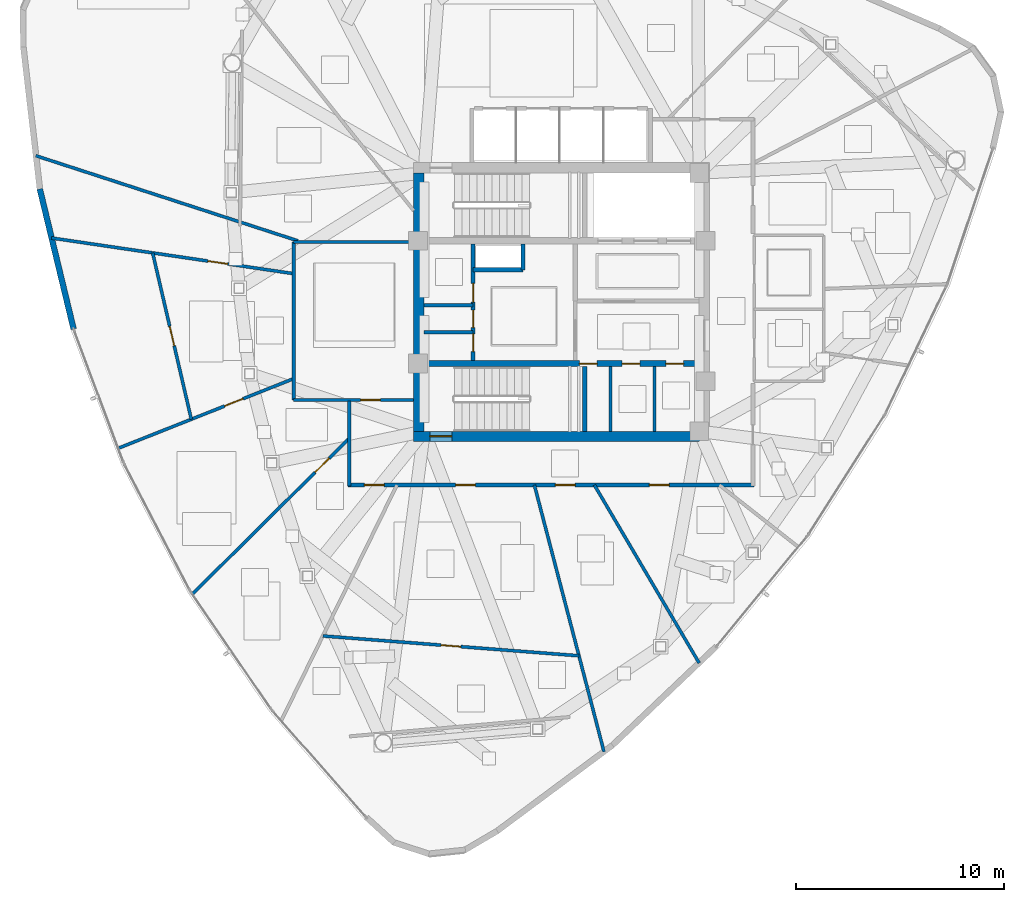
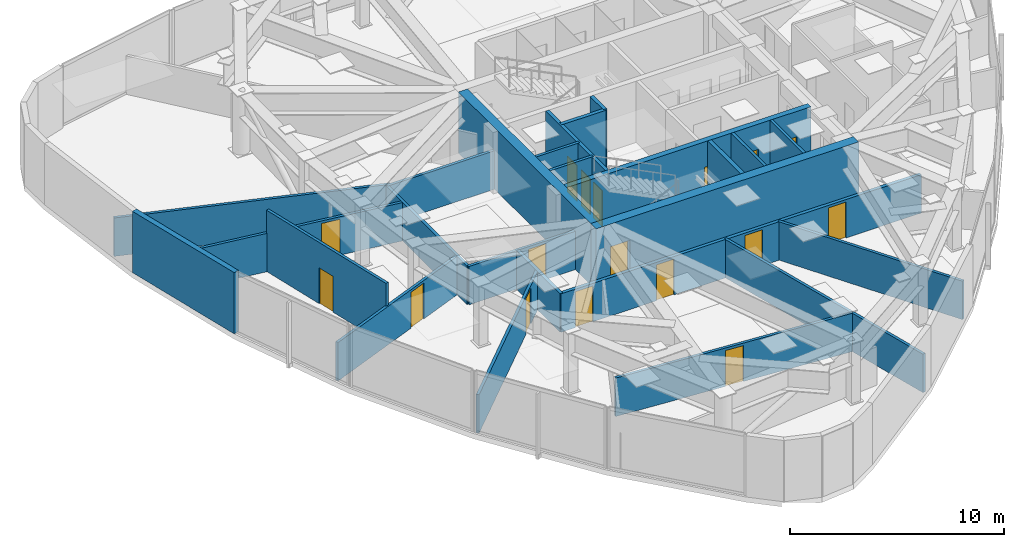
# One storey, part 8 of 13: 25 walls, 17 doors, 17 openings.
"""IFC4 building model written with IfcOpenShell, lengths in metres."""

from ifc_helpers import new_model, si_unit, direction, frame, frame_2d, origin, place, context, subcontext, project, spatial, rectangle, extrude, material, layer, layer_set, type_object, element, fill, save


model = new_model("IFC4")

# Units and contexts
model_context = context("Model", 3, precision=1e-05, world=origin(), true_north=direction((0.0, 1.0)))
body_context = subcontext(model_context, "Body", "Model", "MODEL_VIEW")
ifc_project = project(units=[si_unit("LENGTHUNIT", "METRE"), si_unit("AREAUNIT", "SQUARE_METRE"), si_unit("VOLUMEUNIT", "CUBIC_METRE"), si_unit("PLANEANGLEUNIT", "RADIAN"), si_unit("MASSUNIT", "GRAM", prefix="KILO")], contexts=[model_context])

# Site, building, storey
site_placement = place(None, origin())
site = spatial("IfcSite", under=ifc_project, at=site_placement, CompositionType="ELEMENT")
building_placement = place(site_placement, origin())
building = spatial("IfcBuilding", under=site, at=building_placement, Name="Tavelor Broadcast Tower", CompositionType="ELEMENT")
storey_placement = place(building_placement, frame((0.0, 0.0, 269.550048828125)))
storey = spatial("IfcBuildingStorey", under=building, at=storey_placement, Name="L64", CompositionType="ELEMENT", Elevation=269.550048828125)

# Wall, opening, door
ifc_material_1 = material(Name="Concrete C50/60", Category="concrete")
ifc_layer_1 = layer(ifc_material_1, 0.5)
ifc_layer_set_1 = layer_set([ifc_layer_1], Name="Concrete C50/60")
wall_type_1 = type_object("IfcWallType", Name="Core Shear Wall 500 mm", PredefinedType="SHEAR", material=ifc_layer_set_1)
wall_1_placement = place(storey_placement, frame((42.89990234375, 38.550048828125, 0.0), z_axis=(0.0, 0.0, 1.0), x_axis=(1.0, 0.0, 0.0)))
wall_1 = element("IfcWall", 1, at=wall_1_placement, inside=storey, type_object=wall_type_1, Name="L64 Central Core Shear Wall S", PredefinedType="SHEAR", context=body_context, shape_type="SweptSolid", body=[
    extrude(rectangle(XDim=14.2001953125, YDim=0.5, at=frame_2d((7.10009765625, 0.0))), origin(), (0.0, 0.0, 1.0), 3.5),
])
opening_1_placement = place(wall_1_placement, frame((0.780029296875, 0.0, 0.0)))
opening_1 = element("IfcOpeningElement", 2, at=opening_1_placement, cuts=wall_1, Name="Opening DR11", PredefinedType="OPENING", context=body_context, shape_type="SweptSolid", body=[
    extrude(rectangle(XDim=1.050048828125, YDim=2.199951171875, at=frame_2d((0.52490234375, 1.10009765625))), frame((0.0, 0.260009765625, 0.0), z_axis=(0.0, -1.0, 0.0), x_axis=(1.0, 0.0, 0.0)), (0.0, 0.0, 1.0), 0.52001953125),
])
ifc_material_2 = material(Name="Steel S355", Category="steel")
door_type_1 = type_object("IfcDoorType", Name="Stair Core Fire Escape Door 1050x2200", OperationType="NOTDEFINED", PredefinedType="DOOR", material=ifc_material_2)
door_1_placement = place(opening_1_placement, origin())
door_1 = element("IfcDoor", 3, at=door_1_placement, inside=storey, type_object=door_type_1, Name="L64 Stair ST2 Protected Exit Door", OperationType="SINGLE_SWING_RIGHT", OverallHeight=2.199951171875, OverallWidth=1.050048828125, PredefinedType="DOOR", context=body_context, shape_type="SweptSolid", body=[
    extrude(rectangle(XDim=1.050048828125, YDim=2.199951171875, at=frame_2d((0.52490234375, 1.10009765625))), frame((0.0, 0.02490234375, 0.0), z_axis=(0.0, -1.0, 0.0), x_axis=(1.0, 0.0, 0.0)), (0.0, 0.0, 1.0), 0.050048828125),
])
fill(opening_1, door_1)

# Wall
wall_2_placement = place(storey_placement, frame((43.14990234375, 38.800048828125, 0.0), z_axis=(0.0, 0.0, 1.0), x_axis=(0.0, 1.0, 0.0)))
element("IfcWall", 4, at=wall_2_placement, inside=storey, type_object=wall_type_1, Name="L64 Central Core Shear Wall W", PredefinedType="SHEAR", context=body_context, shape_type="SweptSolid", body=[
    extrude(rectangle(XDim=12.39990234375, YDim=0.5, at=frame_2d((6.199951171875, 0.0))), origin(), (0.0, 0.0, 1.0), 3.5),
])

# Wall, openings, doors
ifc_layer_2 = layer(ifc_material_1, 0.300048828125)
ifc_layer_set_2 = layer_set([ifc_layer_2], Name="Concrete C50/60")
wall_type_2 = type_object("IfcWallType", Name="Core Spine Shear Wall 300 mm C50", PredefinedType="SHEAR", material=ifc_layer_set_2)
wall_3_placement = place(storey_placement, frame((43.39990234375, 42.050048828125, 0.0), z_axis=(0.0, 0.0, 1.0), x_axis=(1.0, 0.0, 0.0)))
wall_3 = element("IfcWall", 5, at=wall_3_placement, inside=storey, type_object=wall_type_2, Name="L64 Central Core Shear Wall SP2", PredefinedType="SHEAR", context=body_context, shape_type="SweptSolid", body=[
    extrude(rectangle(XDim=13.2001953125, YDim=0.300048828125, at=frame_2d((6.60009765625, 0.0))), origin(), (0.0, 0.0, 1.0), 3.5),
])
opening_2_placement = place(wall_3_placement, frame((7.449951171875, 0.0, 0.0)))
opening_2 = element("IfcOpeningElement", 6, at=opening_2_placement, cuts=wall_3, Name="Opening DR36", PredefinedType="OPENING", context=body_context, shape_type="SweptSolid", body=[
    extrude(rectangle(XDim=0.85009765625, YDim=2.050048828125, at=frame_2d((0.425048828125, 1.02490234375))), frame((0.0, 0.16015625, 0.0), z_axis=(0.0, -1.0, 0.0), x_axis=(1.0, 0.0, 0.0)), (0.0, 0.0, 1.0), 0.320068359375),
])
opening_3_placement = place(wall_3_placement, frame((9.5, 0.0, 0.0)))
opening_3 = element("IfcOpeningElement", 7, at=opening_3_placement, cuts=wall_3, Name="Opening DR36", PredefinedType="OPENING", context=body_context, shape_type="SweptSolid", body=[
    extrude(rectangle(XDim=0.85009765625, YDim=2.050048828125, at=frame_2d((0.425048828125, 1.02490234375))), frame((0.0, 0.16015625, 0.0), z_axis=(0.0, -1.0, 0.0), x_axis=(1.0, 0.0, 0.0)), (0.0, 0.0, 1.0), 0.320068359375),
])
opening_4_placement = place(wall_3_placement, frame((11.60009765625, 0.0, 0.0)))
opening_4 = element("IfcOpeningElement", 8, at=opening_4_placement, cuts=wall_3, Name="Opening DR36", PredefinedType="OPENING", context=body_context, shape_type="SweptSolid", body=[
    extrude(rectangle(XDim=0.85009765625, YDim=2.050048828125, at=frame_2d((0.425048828125, 1.02490234375))), frame((0.0, 0.16015625, 0.0), z_axis=(0.0, -1.0, 0.0), x_axis=(1.0, 0.0, 0.0)), (0.0, 0.0, 1.0), 0.320068359375),
])
door_type_2 = type_object("IfcDoorType", Name="Service Room Fire Door 850x2050", OperationType="NOTDEFINED", PredefinedType="DOOR", material=ifc_material_2)
door_2_placement = place(opening_2_placement, origin())
door_2 = element("IfcDoor", 9, at=door_2_placement, inside=storey, type_object=door_type_2, Name="L64 Reclaimed South Core Pod 1 Door", OperationType="SINGLE_SWING_LEFT", OverallHeight=2.050048828125, OverallWidth=0.85009765625, PredefinedType="DOOR", context=body_context, shape_type="SweptSolid", body=[
    extrude(rectangle(XDim=0.85009765625, YDim=2.050048828125, at=frame_2d((0.425048828125, 1.02490234375))), frame((0.0, 0.02490234375, 0.0), z_axis=(0.0, -1.0, 0.0), x_axis=(1.0, 0.0, 0.0)), (0.0, 0.0, 1.0), 0.050048828125),
])
fill(opening_2, door_2)
door_3_placement = place(opening_3_placement, origin())
door_3 = element("IfcDoor", 10, at=door_3_placement, inside=storey, type_object=door_type_2, Name="L64 Reclaimed South Core Pod 2 Door", OperationType="SINGLE_SWING_RIGHT", OverallHeight=2.050048828125, OverallWidth=0.85009765625, PredefinedType="DOOR", context=body_context, shape_type="SweptSolid", body=[
    extrude(rectangle(XDim=0.85009765625, YDim=2.050048828125, at=frame_2d((0.425048828125, 1.02490234375))), frame((0.0, 0.02490234375, 0.0), z_axis=(0.0, -1.0, 0.0), x_axis=(1.0, 0.0, 0.0)), (0.0, 0.0, 1.0), 0.050048828125),
])
fill(opening_3, door_3)
door_4_placement = place(opening_4_placement, origin())
door_4 = element("IfcDoor", 11, at=door_4_placement, inside=storey, type_object=door_type_2, Name="L64 Reclaimed South Core Pod 3 Door", OperationType="SINGLE_SWING_LEFT", OverallHeight=2.050048828125, OverallWidth=0.85009765625, PredefinedType="DOOR", context=body_context, shape_type="SweptSolid", body=[
    extrude(rectangle(XDim=0.85009765625, YDim=2.050048828125, at=frame_2d((0.425048828125, 1.02490234375))), frame((0.0, 0.02490234375, 0.0), z_axis=(0.0, -1.0, 0.0), x_axis=(1.0, 0.0, 0.0)), (0.0, 0.0, 1.0), 0.050048828125),
])
fill(opening_4, door_4)

ifc_material_3 = material(Name="Calcium Silicate Fire Board 180 mm", Category="gypsum")
ifc_layer_3 = layer(ifc_material_3, 0.179931640625)
ifc_layer_set_3 = layer_set([ifc_layer_3], Name="Calcium Silicate Fire Board 180 mm")
wall_type_3 = type_object("IfcWallType", Name="Fire-Rated Corridor Partition Wall 180 mm", PredefinedType="PARTITIONING", material=ifc_layer_set_3)
wall_4_placement = place(storey_placement, frame((45.75, 42.199951171875, 0.0), z_axis=(0.0, 0.0, 1.0), x_axis=(0.0, 1.0, 0.0)))
wall_4 = element("IfcWall", 12, at=wall_4_placement, inside=storey, type_object=wall_type_3, Name="L64 Core West Service East Wall", PredefinedType="PARTITIONING", context=body_context, shape_type="SweptSolid", body=[
    extrude(rectangle(XDim=5.60009765625, YDim=0.179931640625, at=frame_2d((2.800048828125, 0.0))), origin(), (0.0, 0.0, 1.0), 3.5),
])
opening_5_placement = place(wall_4_placement, frame((0.419921875, 0.0, 0.0)))
opening_5 = element("IfcOpeningElement", 13, at=opening_5_placement, cuts=wall_4, Name="Opening DR36", PredefinedType="OPENING", context=body_context, shape_type="SweptSolid", body=[
    extrude(rectangle(XDim=0.85009765625, YDim=2.050048828125, at=frame_2d((0.425048828125, 1.02490234375))), frame((0.0, 0.10009765625, 0.0), z_axis=(0.0, -1.0, 0.0), x_axis=(1.0, 0.0, 0.0)), (0.0, 0.0, 1.0), 0.199951171875),
])
opening_6_placement = place(wall_4_placement, frame((1.570068359375, 0.0, 0.0)))
opening_6 = element("IfcOpeningElement", 14, at=opening_6_placement, cuts=wall_4, Name="Opening DR36", PredefinedType="OPENING", context=body_context, shape_type="SweptSolid", body=[
    extrude(rectangle(XDim=0.85009765625, YDim=2.050048828125, at=frame_2d((0.425048828125, 1.02490234375))), frame((0.0, 0.10009765625, 0.0), z_axis=(0.0, -1.0, 0.0), x_axis=(1.0, 0.0, 0.0)), (0.0, 0.0, 1.0), 0.199951171875),
])
opening_7_placement = place(wall_4_placement, frame((2.800048828125, 0.0, 0.0)))
opening_7 = element("IfcOpeningElement", 15, at=opening_7_placement, cuts=wall_4, Name="Opening DR32", PredefinedType="OPENING", context=body_context, shape_type="SweptSolid", body=[
    extrude(rectangle(XDim=0.89990234375, YDim=2.050048828125, at=frame_2d((0.449951171875, 1.02490234375))), frame((0.0, 0.10009765625, 0.0), z_axis=(0.0, -1.0, 0.0), x_axis=(1.0, 0.0, 0.0)), (0.0, 0.0, 1.0), 0.199951171875),
])
ifc_material_4 = material(Name="Timber Solid Core Hardwood", Category="wood")
door_type_3 = type_object("IfcDoorType", Name="Accessible Washroom Door 900x2050", OperationType="NOTDEFINED", PredefinedType="DOOR", material=ifc_material_4)
door_5_placement = place(opening_7_placement, origin())
door_5 = element("IfcDoor", 16, at=door_5_placement, inside=storey, type_object=door_type_3, Name="L64 Core Accessible WC Door", OperationType="SINGLE_SWING_LEFT", OverallHeight=2.050048828125, OverallWidth=0.89990234375, PredefinedType="DOOR", context=body_context, shape_type="SweptSolid", body=[
    extrude(rectangle(XDim=0.89990234375, YDim=2.050048828125, at=frame_2d((0.449951171875, 1.02490234375))), frame((0.0, 0.02490234375, 0.0), z_axis=(0.0, -1.0, 0.0), x_axis=(1.0, 0.0, 0.0)), (0.0, 0.0, 1.0), 0.050048828125),
])
fill(opening_7, door_5)
door_6_placement = place(opening_5_placement, origin())
door_6 = element("IfcDoor", 17, at=door_6_placement, inside=storey, type_object=door_type_2, Name="L64 Core Medical Room Door", OperationType="SINGLE_SWING_LEFT", OverallHeight=2.050048828125, OverallWidth=0.85009765625, PredefinedType="DOOR", context=body_context, shape_type="SweptSolid", body=[
    extrude(rectangle(XDim=0.85009765625, YDim=2.050048828125, at=frame_2d((0.425048828125, 1.02490234375))), frame((0.0, 0.02490234375, 0.0), z_axis=(0.0, -1.0, 0.0), x_axis=(1.0, 0.0, 0.0)), (0.0, 0.0, 1.0), 0.050048828125),
])
fill(opening_5, door_6)
door_7_placement = place(opening_6_placement, origin())
door_7 = element("IfcDoor", 18, at=door_7_placement, inside=storey, type_object=door_type_2, Name="L64 Core Copy Room Door", OperationType="SINGLE_SWING_RIGHT", OverallHeight=2.050048828125, OverallWidth=0.85009765625, PredefinedType="DOOR", context=body_context, shape_type="SweptSolid", body=[
    extrude(rectangle(XDim=0.85009765625, YDim=2.050048828125, at=frame_2d((0.425048828125, 1.02490234375))), frame((0.0, 0.02490234375, 0.0), z_axis=(0.0, -1.0, 0.0), x_axis=(1.0, 0.0, 0.0)), (0.0, 0.0, 1.0), 0.050048828125),
])
fill(opening_6, door_7)

wall_5_placement = place(storey_placement, frame((59.22998046875, 36.219970703125, 0.0), z_axis=(0.0, 0.0, 1.0), x_axis=(-1.0, 0.0, 0.0)))
wall_5 = element("IfcWall", 19, at=wall_5_placement, inside=storey, type_object=wall_type_3, Name="L64 Corridor Compartment Wall 04", PredefinedType="PARTITIONING", context=body_context, shape_type="SweptSolid", body=[
    extrude(rectangle(XDim=19.47998046875, YDim=0.179931640625, at=frame_2d((9.739990234375, 0.0))), origin(), (0.0, 0.0, 1.0), 2.195068359375),
])
opening_8_placement = place(wall_5_placement, frame((4.0712890625, 0.0, 0.0)))
opening_8 = element("IfcOpeningElement", 20, at=opening_8_placement, cuts=wall_5, Name="Opening DR18", PredefinedType="OPENING", context=body_context, shape_type="SweptSolid", body=[
    extrude(rectangle(XDim=0.949951171875, YDim=2.050048828125, at=frame_2d((0.47509765625, 1.02490234375))), frame((0.0, 0.10009765625, 0.0), z_axis=(0.0, -1.0, 0.0), x_axis=(1.0, 0.0, 0.0)), (0.0, 0.0, 1.0), 0.199951171875),
])
opening_9_placement = place(wall_5_placement, frame((8.58251953125, 0.0, 0.0)))
opening_9 = element("IfcOpeningElement", 21, at=opening_9_placement, cuts=wall_5, Name="Opening DR18", PredefinedType="OPENING", context=body_context, shape_type="SweptSolid", body=[
    extrude(rectangle(XDim=0.949951171875, YDim=2.050048828125, at=frame_2d((0.47509765625, 1.02490234375))), frame((0.0, 0.10009765625, 0.0), z_axis=(0.0, -1.0, 0.0), x_axis=(1.0, 0.0, 0.0)), (0.0, 0.0, 1.0), 0.199951171875),
])
opening_10_placement = place(wall_5_placement, frame((13.3720703125, 0.0, 0.0)))
opening_10 = element("IfcOpeningElement", 22, at=opening_10_placement, cuts=wall_5, Name="Opening DR18", PredefinedType="OPENING", context=body_context, shape_type="SweptSolid", body=[
    extrude(rectangle(XDim=0.949951171875, YDim=2.050048828125, at=frame_2d((0.47509765625, 1.02490234375))), frame((0.0, 0.10009765625, 0.0), z_axis=(0.0, -1.0, 0.0), x_axis=(1.0, 0.0, 0.0)), (0.0, 0.0, 1.0), 0.199951171875),
])
opening_11_placement = place(wall_5_placement, frame((17.747314453125, 0.0, 0.0)))
opening_11 = element("IfcOpeningElement", 23, at=opening_11_placement, cuts=wall_5, Name="Opening DR18", PredefinedType="OPENING", context=body_context, shape_type="SweptSolid", body=[
    extrude(rectangle(XDim=0.949951171875, YDim=2.050048828125, at=frame_2d((0.47509765625, 1.02490234375))), frame((0.0, 0.10009765625, 0.0), z_axis=(0.0, -1.0, 0.0), x_axis=(1.0, 0.0, 0.0)), (0.0, 0.0, 1.0), 0.199951171875),
])
door_type_4 = type_object("IfcDoorType", Name="Corridor Rated Compartment Door 950x2050", OperationType="NOTDEFINED", PredefinedType="DOOR", material=ifc_material_4)
door_8_placement = place(opening_8_placement, origin())
door_8 = element("IfcDoor", 24, at=door_8_placement, inside=storey, type_object=door_type_4, Name="L64 Editorial Quiet Study Door R2", OperationType="SINGLE_SWING_LEFT", OverallHeight=2.050048828125, OverallWidth=0.949951171875, PredefinedType="DOOR", context=body_context, shape_type="SweptSolid", body=[
    extrude(rectangle(XDim=0.949951171875, YDim=2.050048828125, at=frame_2d((0.47509765625, 1.02490234375))), frame((0.0, 0.02490234375, 0.0), z_axis=(0.0, -1.0, 0.0), x_axis=(1.0, 0.0, 0.0)), (0.0, 0.0, 1.0), 0.050048828125),
])
fill(opening_8, door_8)
door_9_placement = place(opening_9_placement, origin())
door_9 = element("IfcDoor", 25, at=door_9_placement, inside=storey, type_object=door_type_4, Name="L64 Broadcast Script Study Door R3", OperationType="SINGLE_SWING_RIGHT", OverallHeight=2.050048828125, OverallWidth=0.949951171875, PredefinedType="DOOR", context=body_context, shape_type="SweptSolid", body=[
    extrude(rectangle(XDim=0.949951171875, YDim=2.050048828125, at=frame_2d((0.47509765625, 1.02490234375))), frame((0.0, 0.02490234375, 0.0), z_axis=(0.0, -1.0, 0.0), x_axis=(1.0, 0.0, 0.0)), (0.0, 0.0, 1.0), 0.050048828125),
])
fill(opening_9, door_9)
door_10_placement = place(opening_10_placement, origin())
door_10 = element("IfcDoor", 26, at=door_10_placement, inside=storey, type_object=door_type_4, Name="L64 Wellness Quiet Room Door R13", OperationType="SINGLE_SWING_LEFT", OverallHeight=2.050048828125, OverallWidth=0.949951171875, PredefinedType="DOOR", context=body_context, shape_type="SweptSolid", body=[
    extrude(rectangle(XDim=0.949951171875, YDim=2.050048828125, at=frame_2d((0.47509765625, 1.02490234375))), frame((0.0, 0.02490234375, 0.0), z_axis=(0.0, -1.0, 0.0), x_axis=(1.0, 0.0, 0.0)), (0.0, 0.0, 1.0), 0.050048828125),
])
fill(opening_10, door_10)
door_11_placement = place(opening_11_placement, origin())
door_11 = element("IfcDoor", 27, at=door_11_placement, inside=storey, type_object=door_type_4, Name="L64 Presenter Quiet Snug Door R5", OperationType="SINGLE_SWING_RIGHT", OverallHeight=2.050048828125, OverallWidth=0.949951171875, PredefinedType="DOOR", context=body_context, shape_type="SweptSolid", body=[
    extrude(rectangle(XDim=0.949951171875, YDim=2.050048828125, at=frame_2d((0.47509765625, 1.02490234375))), frame((0.0, 0.02490234375, 0.0), z_axis=(0.0, -1.0, 0.0), x_axis=(1.0, 0.0, 0.0)), (0.0, 0.0, 1.0), 0.050048828125),
])
fill(opening_11, door_11)

# Walls
wall_6_placement = place(storey_placement, frame((39.800048828125, 36.169921875, 0.0), z_axis=(0.0, 0.0, 1.0), x_axis=(0.0, 1.0, 0.0)))
element("IfcWall", 28, at=wall_6_placement, inside=storey, type_object=wall_type_3, Name="L64 Corridor Compartment Wall 05", PredefinedType="PARTITIONING", context=body_context, shape_type="SweptSolid", body=[
    extrude(rectangle(XDim=4.080078125, YDim=0.179931640625, at=frame_2d((2.0400390625, 0.0))), origin(), (0.0, 0.0, 1.0), 2.195068359375),
])
ifc_material_5 = material(Name="Precast Concrete C40/50", Category="concrete")
ifc_layer_4 = layer(ifc_material_5, 0.280029296875)
ifc_layer_set_4 = layer_set([ifc_layer_4], Name="Precast Concrete C40/50")
wall_type_4 = type_object("IfcWallType", Name="Insulated Precast Terracotta Facade Wall 280 mm", PredefinedType="STANDARD", material=ifc_layer_set_4)
wall_7_placement = place(storey_placement, frame((24.94970703125, 50.429931640625, 0.0), z_axis=(0.0, 0.0, 1.0), x_axis=(0.234663533008, -0.972076656584, 0.0)))
element("IfcWall", 29, at=wall_7_placement, inside=storey, type_object=wall_type_4, Name="L64 Rounded Corner Structural Cladding Pier 06", PredefinedType="STANDARD", context=body_context, shape_type="SweptSolid", body=[
    extrude(rectangle(XDim=6.91748046875, YDim=0.280029296875, at=frame_2d((3.458740234375, 0.0))), origin(), (0.0, 0.0, 1.0), 3.5),
])
ifc_material_6 = material(Name="Gypsum Acoustic Plasterboard 150 mm", Category="gypsum")
ifc_layer_5 = layer(ifc_material_6, 0.14990234375)
ifc_layer_set_5 = layer_set([ifc_layer_5], Name="Gypsum Acoustic Plasterboard 150 mm")
wall_type_5 = type_object("IfcWallType", Name="Interior Acoustic Partition Wall 150 mm", PredefinedType="PARTITIONING", material=ifc_layer_set_5)
for number, where, z_axis, x_axis, name in (
    (30, (52.35009765625, 38.800048828125, 0.0), (0.0, 0.0, 1.0), (0.0, 1.0, 0.0), "L64 Reclaimed South Core Divider 1"),
    (31, (54.449951171875, 38.800048828125, 0.0), (0.0, 0.0, 1.0), (0.0, 1.0, 0.0), "L64 Reclaimed South Core Divider 2"),
):
    element("IfcWall", number, at=place(storey_placement, frame(where, z_axis=z_axis, x_axis=x_axis)), inside=storey, type_object=wall_type_5, Name=name, PredefinedType="PARTITIONING", context=body_context, shape_type="SweptSolid", body=[
        extrude(rectangle(XDim=3.099853515625, YDim=0.14990234375, at=frame_2d((1.5498046875, 0.0))), origin(), (0.0, 0.0, 1.0), 3.5),
    ])
for number, where, z_axis, x_axis, name in (
    (32, (43.39990234375, 43.550048828125, 0.0), (0.0, 0.0, 1.0), (1.0, 0.0, 0.0), "L64 Core Split Wall B1"),
    (33, (43.39990234375, 44.85009765625, 0.0), (0.0, 0.0, 1.0), (1.0, 0.0, 0.0), "L64 Core Split Wall B2"),
):
    element("IfcWall", number, at=place(storey_placement, frame(where, z_axis=z_axis, x_axis=x_axis)), inside=storey, type_object=wall_type_5, Name=name, PredefinedType="PARTITIONING", context=body_context, shape_type="SweptSolid", body=[
        extrude(rectangle(XDim=2.35009765625, YDim=0.14990234375, at=frame_2d((1.175048828125, 0.0))), origin(), (0.0, 0.0, 1.0), 3.5),
    ])

# Wall, opening, door
wall_8_placement = place(storey_placement, frame((37.139892578125, 40.300048828125, 0.0), z_axis=(0.0, 0.0, 1.0), x_axis=(1.0, 0.0, 0.0)))
wall_8 = element("IfcWall", 34, at=wall_8_placement, inside=storey, type_object=wall_type_5, Name="L64 Reclaimed Shaft Pantry South Wall", PredefinedType="PARTITIONING", context=body_context, shape_type="SweptSolid", body=[
    extrude(rectangle(XDim=5.760009765625, YDim=0.14990234375, at=frame_2d((2.8798828125, 0.0))), origin(), (0.0, 0.0, 1.0), 2.195068359375),
])
opening_12_placement = place(wall_8_placement, frame((3.2099609375, 0.0, 0.0)))
opening_12 = element("IfcOpeningElement", 35, at=opening_12_placement, cuts=wall_8, Name="Opening DR18", PredefinedType="OPENING", context=body_context, shape_type="SweptSolid", body=[
    extrude(rectangle(XDim=0.949951171875, YDim=2.050048828125, at=frame_2d((0.47509765625, 1.02490234375))), frame((0.0, 0.0849609375, 0.0), z_axis=(0.0, -1.0, 0.0), x_axis=(1.0, 0.0, 0.0)), (0.0, 0.0, 1.0), 0.169921875),
])
door_12_placement = place(opening_12_placement, origin())
door_12 = element("IfcDoor", 36, at=door_12_placement, inside=storey, type_object=door_type_4, Name="L64 Broadcast IT Patch and Pantry Door", OperationType="SINGLE_SWING_LEFT", OverallHeight=2.050048828125, OverallWidth=0.949951171875, PredefinedType="DOOR", context=body_context, shape_type="SweptSolid", body=[
    extrude(rectangle(XDim=0.949951171875, YDim=2.050048828125, at=frame_2d((0.47509765625, 1.02490234375))), frame((0.0, 0.02490234375, 0.0), z_axis=(0.0, -1.0, 0.0), x_axis=(1.0, 0.0, 0.0)), (0.0, 0.0, 1.0), 0.050048828125),
])
fill(opening_12, door_12)

# Walls
wall_9_placement = place(storey_placement, frame((37.139892578125, 40.300048828125, 0.0), z_axis=(0.0, 0.0, 1.0), x_axis=(0.0, 1.0, 0.0)))
element("IfcWall", 37, at=wall_9_placement, inside=storey, type_object=wall_type_5, Name="L64 Reclaimed Shaft Pantry West Wall", PredefinedType="PARTITIONING", context=body_context, shape_type="SweptSolid", body=[
    extrude(rectangle(XDim=7.579833984375, YDim=0.14990234375, at=frame_2d((3.7900390625, 0.0))), origin(), (0.0, 0.0, 1.0), 2.195068359375),
])
wall_10_placement = place(storey_placement, frame((37.139892578125, 47.8798828125, 0.0), z_axis=(0.0, 0.0, 1.0), x_axis=(1.0, 0.0, 0.0)))
element("IfcWall", 38, at=wall_10_placement, inside=storey, type_object=wall_type_5, Name="L64 Reclaimed Shaft Pantry North Wall", PredefinedType="PARTITIONING", context=body_context, shape_type="SweptSolid", body=[
    extrude(rectangle(XDim=5.760009765625, YDim=0.14990234375, at=frame_2d((2.8798828125, 0.0))), origin(), (0.0, 0.0, 1.0), 2.195068359375),
])
wall_11_placement = place(storey_placement, frame((37.343994140625, 47.93994140625, 0.0), z_axis=(0.0, 0.0, 1.0), x_axis=(-0.951127968225, 0.308797001379, 0.0)))
element("IfcWall", 39, at=wall_11_placement, inside=storey, type_object=wall_type_5, Name="L64 Radial Compartment Wall 02", PredefinedType="PARTITIONING", context=body_context, shape_type="SweptSolid", body=[
    extrude(rectangle(XDim=13.23486328125, YDim=0.14990234375, at=frame_2d((6.617431640625, 0.0))), origin(), (0.0, 0.0, 1.0), 2.195068359375),
])

# Wall, opening, door
wall_12_placement = place(storey_placement, frame((37.080078125, 46.373046875, 0.0), z_axis=(0.0, 0.0, 1.0), x_axis=(-0.989323142892, 0.145738529351, 0.0)))
wall_12 = element("IfcWall", 40, at=wall_12_placement, inside=storey, type_object=wall_type_5, Name="L64 Radial Compartment Wall 03", PredefinedType="PARTITIONING", context=body_context, shape_type="SweptSolid", body=[
    extrude(rectangle(XDim=11.697998046875, YDim=0.14990234375, at=frame_2d((5.84912109375, 0.0))), origin(), (0.0, 0.0, 1.0), 2.195068359375),
])
opening_13_placement = place(wall_12_placement, frame((3.14990234375, 0.0, 0.0)))
opening_13 = element("IfcOpeningElement", 41, at=opening_13_placement, cuts=wall_12, Name="Opening DR18", PredefinedType="OPENING", context=body_context, shape_type="SweptSolid", body=[
    extrude(rectangle(XDim=0.949951171875, YDim=2.050048828125, at=frame_2d((0.47509765625, 1.02490234375))), frame((0.0, 0.0849609375, 0.0), z_axis=(0.0, -1.0, 0.0), x_axis=(1.0, 0.0, 0.0)), (0.0, 0.0, 1.0), 0.169921875),
])
door_13_placement = place(opening_13_placement, origin())
door_13 = element("IfcDoor", 42, at=door_13_placement, inside=storey, type_object=door_type_4, Name="L64 Suite Connecting Door 8", OperationType="SINGLE_SWING_LEFT", OverallHeight=2.050048828125, OverallWidth=0.949951171875, PredefinedType="DOOR", context=body_context, shape_type="SweptSolid", body=[
    extrude(rectangle(XDim=0.949951171875, YDim=2.050048828125, at=frame_2d((0.47509765625, 1.02490234375))), frame((0.0, 0.02490234375, 0.0), z_axis=(0.0, -1.0, 0.0), x_axis=(1.0, 0.0, 0.0)), (0.0, 0.0, 1.0), 0.050048828125),
])
fill(opening_13, door_13)

wall_13_placement = place(storey_placement, frame((37.080078125, 41.3017578125, 0.0), z_axis=(0.0, 0.0, 1.0), x_axis=(-0.929499264933, -0.368823964092, 0.0)))
wall_13 = element("IfcWall", 43, at=wall_13_placement, inside=storey, type_object=wall_type_5, Name="L64 Radial Compartment Wall 04", PredefinedType="PARTITIONING", context=body_context, shape_type="SweptSolid", body=[
    extrude(rectangle(XDim=9.00830078125, YDim=0.14990234375, at=frame_2d((4.504150390625, 0.0))), origin(), (0.0, 0.0, 1.0), 2.195068359375),
])
opening_14_placement = place(wall_13_placement, frame((2.550048828125, 0.0, 0.0)))
opening_14 = element("IfcOpeningElement", 44, at=opening_14_placement, cuts=wall_13, Name="Opening DR18", PredefinedType="OPENING", context=body_context, shape_type="SweptSolid", body=[
    extrude(rectangle(XDim=0.949951171875, YDim=2.050048828125, at=frame_2d((0.47509765625, 1.02490234375))), frame((0.0, 0.0849609375, 0.0), z_axis=(0.0, -1.0, 0.0), x_axis=(1.0, 0.0, 0.0)), (0.0, 0.0, 1.0), 0.169921875),
])
door_14_placement = place(opening_14_placement, origin())
door_14 = element("IfcDoor", 45, at=door_14_placement, inside=storey, type_object=door_type_4, Name="L64 Suite Connecting Door 14", OperationType="SINGLE_SWING_RIGHT", OverallHeight=2.050048828125, OverallWidth=0.949951171875, PredefinedType="DOOR", context=body_context, shape_type="SweptSolid", body=[
    extrude(rectangle(XDim=0.949951171875, YDim=2.050048828125, at=frame_2d((0.47509765625, 1.02490234375))), frame((0.0, 0.02490234375, 0.0), z_axis=(0.0, -1.0, 0.0), x_axis=(1.0, 0.0, 0.0)), (0.0, 0.0, 1.0), 0.050048828125),
])
fill(opening_14, door_14)

wall_14_placement = place(storey_placement, frame((39.800048828125, 38.450439453125, 0.0), z_axis=(0.0, 0.0, 1.0), x_axis=(-0.70980455897, -0.704398671254, 0.0)))
wall_14 = element("IfcWall", 46, at=wall_14_placement, inside=storey, type_object=wall_type_5, Name="L64 Radial Compartment Wall 05", PredefinedType="PARTITIONING", context=body_context, shape_type="SweptSolid", body=[
    extrude(rectangle(XDim=10.613037109375, YDim=0.14990234375, at=frame_2d((5.306640625, 0.0))), origin(), (0.0, 0.0, 1.0), 2.195068359375),
])
opening_15_placement = place(wall_14_placement, frame((1.35009765625, 0.0, 0.0)))
opening_15 = element("IfcOpeningElement", 47, at=opening_15_placement, cuts=wall_14, Name="Opening DR18", PredefinedType="OPENING", context=body_context, shape_type="SweptSolid", body=[
    extrude(rectangle(XDim=0.949951171875, YDim=2.050048828125, at=frame_2d((0.47509765625, 1.02490234375))), frame((0.0, 0.0849609375, 0.0), z_axis=(0.0, -1.0, 0.0), x_axis=(1.0, 0.0, 0.0)), (0.0, 0.0, 1.0), 0.169921875),
])
door_15_placement = place(opening_15_placement, origin())
door_15 = element("IfcDoor", 48, at=door_15_placement, inside=storey, type_object=door_type_4, Name="L64 Suite Connecting Door 6", OperationType="SINGLE_SWING_LEFT", OverallHeight=2.050048828125, OverallWidth=0.949951171875, PredefinedType="DOOR", context=body_context, shape_type="SweptSolid", body=[
    extrude(rectangle(XDim=0.949951171875, YDim=2.050048828125, at=frame_2d((0.47509765625, 1.02490234375))), frame((0.0, 0.02490234375, 0.0), z_axis=(0.0, -1.0, 0.0), x_axis=(1.0, 0.0, 0.0)), (0.0, 0.0, 1.0), 0.050048828125),
])
fill(opening_15, door_15)

# Walls
wall_15_placement = place(storey_placement, frame((48.691650390625, 36.219970703125, 0.0), z_axis=(0.0, 0.0, 1.0), x_axis=(0.25255026426, -0.967583776229, 0.0)))
element("IfcWall", 49, at=wall_15_placement, inside=storey, type_object=wall_type_5, Name="L64 Radial Compartment Wall 07", PredefinedType="PARTITIONING", context=body_context, shape_type="SweptSolid", body=[
    extrude(rectangle(XDim=13.239013671875, YDim=0.14990234375, at=frame_2d((6.61962890625, 0.0))), origin(), (0.0, 0.0, 1.0), 2.195068359375),
])
wall_16_placement = place(storey_placement, frame((51.570556640625, 36.219970703125, 0.0), z_axis=(0.0, 0.0, 1.0), x_axis=(0.507449243591, -0.861681649555, 0.0)))
element("IfcWall", 50, at=wall_16_placement, inside=storey, type_object=wall_type_5, Name="L64 Radial Compartment Wall 08", PredefinedType="PARTITIONING", context=body_context, shape_type="SweptSolid", body=[
    extrude(rectangle(XDim=9.919189453125, YDim=0.14990234375, at=frame_2d((4.95947265625, 0.0))), origin(), (0.0, 0.0, 1.0), 2.195068359375),
])

# Wall, opening, door
wall_17_placement = place(storey_placement, frame((30.367919921875, 47.36181640625, 0.0), z_axis=(0.0, 0.0, 1.0), x_axis=(0.226311824353, -0.974054905105, 0.0)))
wall_17 = element("IfcWall", 51, at=wall_17_placement, inside=storey, type_object=wall_type_5, Name="L64 Suite Chord Partition Wall 01", PredefinedType="PARTITIONING", context=body_context, shape_type="SweptSolid", body=[
    extrude(rectangle(XDim=8.19970703125, YDim=0.14990234375, at=frame_2d((4.099853515625, 0.0))), origin(), (0.0, 0.0, 1.0), 3.5),
])
opening_16_placement = place(wall_17_placement, frame((3.625, 0.0, 0.0)))
opening_16 = element("IfcOpeningElement", 52, at=opening_16_placement, cuts=wall_17, Name="Opening DR23", PredefinedType="OPENING", context=body_context, shape_type="SweptSolid", body=[
    extrude(rectangle(XDim=0.949951171875, YDim=2.050048828125, at=frame_2d((0.47509765625, 1.02490234375))), frame((0.0, 0.0849609375, 0.0), z_axis=(0.0, -1.0, 0.0), x_axis=(1.0, 0.0, 0.0)), (0.0, 0.0, 1.0), 0.169921875),
])
door_type_5 = type_object("IfcDoorType", Name="Editorial Room Acoustic Door 950x2050", OperationType="NOTDEFINED", PredefinedType="DOOR", material=ifc_material_4)
door_16_placement = place(opening_16_placement, origin())
door_16 = element("IfcDoor", 53, at=door_16_placement, inside=storey, type_object=door_type_5, Name="L64 Outer Suite Partition Door 1", OperationType="SINGLE_SWING_RIGHT", OverallHeight=2.050048828125, OverallWidth=0.949951171875, PredefinedType="DOOR", context=body_context, shape_type="SweptSolid", body=[
    extrude(rectangle(XDim=0.949951171875, YDim=2.050048828125, at=frame_2d((0.47509765625, 1.02490234375))), frame((0.0, 0.02490234375, 0.0), z_axis=(0.0, -1.0, 0.0), x_axis=(1.0, 0.0, 0.0)), (0.0, 0.0, 1.0), 0.050048828125),
])
fill(opening_16, door_16)

wall_18_placement = place(storey_placement, frame((38.536865234375, 28.973388671875, 0.0), z_axis=(0.0, 0.0, 1.0), x_axis=(0.997017686542, -0.077173393875, 0.0)))
wall_18 = element("IfcWall", 54, at=wall_18_placement, inside=storey, type_object=wall_type_5, Name="L64 Suite Chord Partition Wall 02", PredefinedType="PARTITIONING", context=body_context, shape_type="SweptSolid", body=[
    extrude(rectangle(XDim=12.33154296875, YDim=0.14990234375, at=frame_2d((6.165771484375, 0.0))), origin(), (0.0, 0.0, 1.0), 2.195068359375),
])
opening_17_placement = place(wall_18_placement, frame((5.690673828125, 0.0, 0.0)))
opening_17 = element("IfcOpeningElement", 55, at=opening_17_placement, cuts=wall_18, Name="Opening DR23", PredefinedType="OPENING", context=body_context, shape_type="SweptSolid", body=[
    extrude(rectangle(XDim=0.949951171875, YDim=2.050048828125, at=frame_2d((0.47509765625, 1.02490234375))), frame((0.0, 0.0849609375, 0.0), z_axis=(0.0, -1.0, 0.0), x_axis=(1.0, 0.0, 0.0)), (0.0, 0.0, 1.0), 0.169921875),
])
door_17_placement = place(opening_17_placement, origin())
door_17 = element("IfcDoor", 56, at=door_17_placement, inside=storey, type_object=door_type_5, Name="L64 Outer Suite Partition Door 2", OperationType="SINGLE_SWING_LEFT", OverallHeight=2.050048828125, OverallWidth=0.949951171875, PredefinedType="DOOR", context=body_context, shape_type="SweptSolid", body=[
    extrude(rectangle(XDim=0.949951171875, YDim=2.050048828125, at=frame_2d((0.47509765625, 1.02490234375))), frame((0.0, 0.02490234375, 0.0), z_axis=(0.0, -1.0, 0.0), x_axis=(1.0, 0.0, 0.0)), (0.0, 0.0, 1.0), 0.050048828125),
])
fill(opening_17, door_17)

# Walls
ifc_material_7 = material(Name="Concrete Blockwork 200 mm", Category="masonry")
ifc_layer_6 = layer(ifc_material_7, 0.199951171875)
ifc_layer_set_6 = layer_set([ifc_layer_6], Name="Concrete Blockwork 200 mm")
wall_type_6 = type_object("IfcWallType", Name="Lift and Riser Shaft Enclosure Wall 200 mm", PredefinedType="PARTITIONING", material=ifc_layer_set_6)
wall_19_placement = place(storey_placement, frame((45.75, 46.550048828125, 0.0), z_axis=(0.0, 0.0, 1.0), x_axis=(1.0, 0.0, 0.0)))
element("IfcWall", 57, at=wall_19_placement, inside=storey, type_object=wall_type_6, Name="L64 Riser Shaft South Wall", PredefinedType="PARTITIONING", context=body_context, shape_type="SweptSolid", body=[
    extrude(rectangle(XDim=2.39990234375, YDim=0.199951171875, at=frame_2d((1.199951171875, 0.0))), origin(), (0.0, 0.0, 1.0), 3.5),
])
wall_20_placement = place(storey_placement, frame((48.14990234375, 46.550048828125, 0.0), z_axis=(0.0, 0.0, 1.0), x_axis=(0.0, 1.0, 0.0)))
element("IfcWall", 58, at=wall_20_placement, inside=storey, type_object=wall_type_6, Name="L64 Riser Shaft East Wall", PredefinedType="PARTITIONING", context=body_context, shape_type="SweptSolid", body=[
    extrude(rectangle(XDim=1.25, YDim=0.199951171875, at=frame_2d((0.625, 0.0))), origin(), (0.0, 0.0, 1.0), 3.5),
])
ifc_material_8 = material(Name="Concrete C40/50", Category="concrete")
ifc_layer_7 = layer(ifc_material_8, 0.219970703125)
ifc_layer_set_7 = layer_set([ifc_layer_7], Name="Concrete C40/50")
wall_type_7 = type_object("IfcWallType", Name="Structural Stairwell Shear Wall 220 mm", PredefinedType="SHEAR", material=ifc_layer_set_7)
wall_21_placement = place(storey_placement, frame((51.110107421875, 38.800048828125, 0.0), z_axis=(0.0, 0.0, 1.0), x_axis=(0.0, 1.0, 0.0)))
element("IfcWall", 59, at=wall_21_placement, inside=storey, type_object=wall_type_7, Name="L64 Stair ST2 Structural Shaft Wall", PredefinedType="SHEAR", context=body_context, shape_type="SweptSolid", body=[
    extrude(rectangle(XDim=3.099853515625, YDim=0.219970703125, at=frame_2d((1.5498046875, 0.0))), origin(), (0.0, 0.0, 1.0), 3.5),
])

save(model, "model.ifc")
